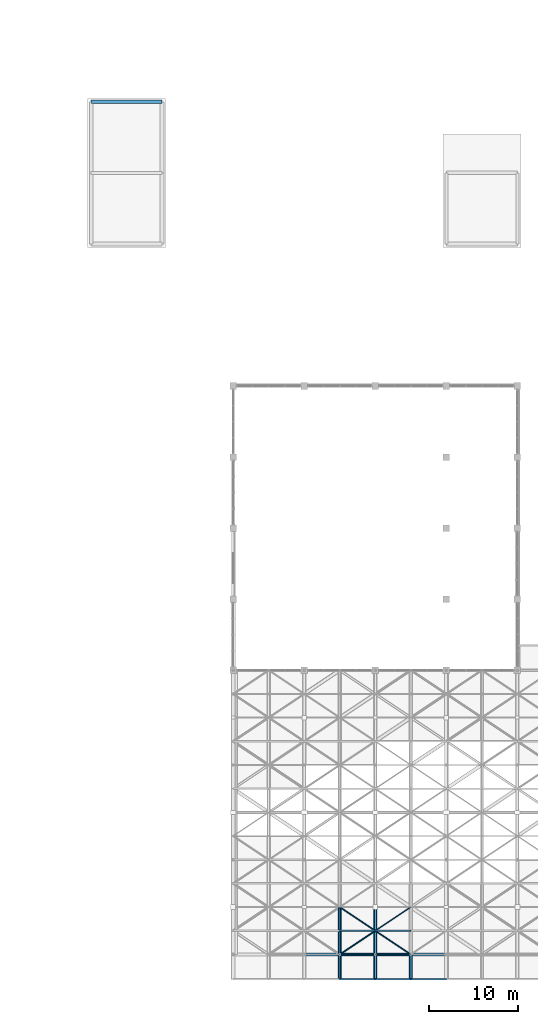
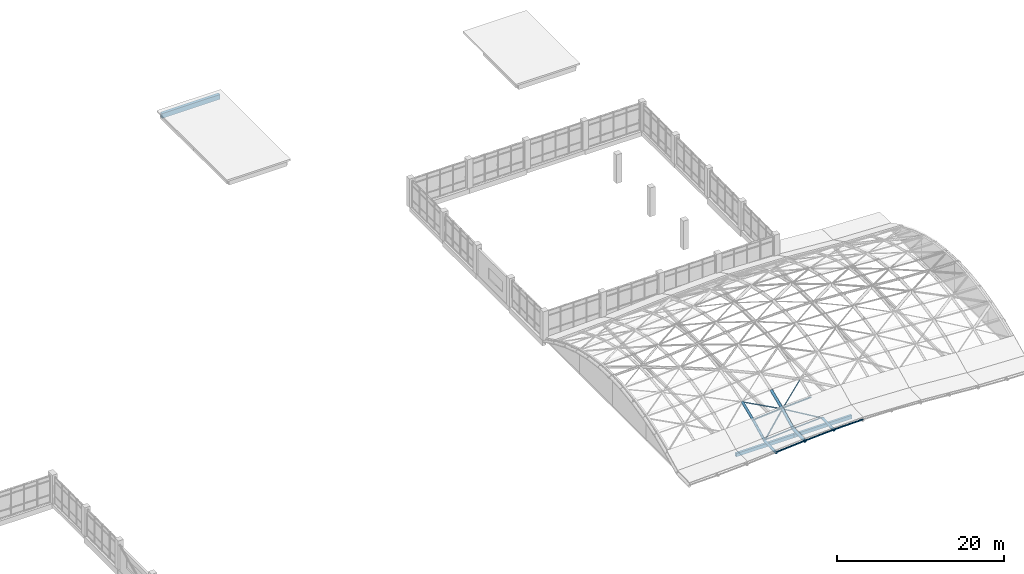
# One storey, part 27 of 72: 11 members, 10 beams.
"""IFC4 building model written with IfcOpenShell, lengths in metres."""

from ifc_helpers import new_model, si_unit, direction, frame, origin, origin_2d, place, context, subcontext, project, spatial, rectangle, hollow_rectangle, hollow_circle, extrude, material, material_profile, profile_set, type_object, element, save


model = new_model("IFC4")

# Units and contexts
model_context = context("Model", 3, precision=1e-05, world=origin(), true_north=direction((0.0, 1.0)))
body_context = subcontext(model_context, "Body", "Model", "MODEL_VIEW")
ifc_project = project(units=[si_unit("LENGTHUNIT", "METRE"), si_unit("AREAUNIT", "SQUARE_METRE"), si_unit("VOLUMEUNIT", "CUBIC_METRE"), si_unit("PLANEANGLEUNIT", "RADIAN"), si_unit("MASSUNIT", "GRAM", prefix="KILO")], contexts=[model_context])

# Site, building, storey
site_placement = place(None, origin())
site = spatial("IfcSite", under=ifc_project, at=site_placement, CompositionType="ELEMENT")
building_placement = place(site_placement, origin())
building = spatial("IfcBuilding", under=site, at=building_placement, Name="Tenunan Teduh Sports Hall", CompositionType="ELEMENT")
storey_placement = place(building_placement, frame((0.0, 0.0, 15.0)))
storey = spatial("IfcBuildingStorey", under=building, at=storey_placement, Name="L03", CompositionType="ELEMENT", Elevation=15.0)

# Beams
ifc_material_1 = material(Name="Concrete C40/50", Category="concrete")
ifc_material_profile_1 = material_profile(ifc_material_1, rectangle(XDim=0.39990234375, YDim=0.699951171875, at=origin_2d()), Name="RCB 400x700")
ifc_profile_set_1 = profile_set([ifc_material_profile_1], Name="Concrete C40/50")
beam_type_1 = type_object("IfcBeamType", Name="BM-RC-400x700", PredefinedType="BEAM", material=ifc_profile_set_1)
beam_1_placement = place(storey_placement, frame((106.0, 110.0, -0.590087890625), z_axis=(1.0, 0.0, 0.0), x_axis=(0.0, 1.0, 0.0)))
element("IfcBeam", 1, at=beam_1_placement, inside=storey, type_object=beam_type_1, Name="BM-B-08-L03-1870", PredefinedType="BEAM", context=body_context, shape_type="SweptSolid", body=[
    extrude(rectangle(XDim=0.39990234375, YDim=0.699951171875, at=origin_2d()), origin(), (0.0, 0.0, 1.0), 8.0),
])
ifc_material_2 = material(Name="Steel S355", Category="steel")
ifc_material_profile_2 = material_profile(ifc_material_2, hollow_circle(Radius=0.177734375, WallThickness=0.012451171875, at=origin_2d()), Name="CHS 355.6x12.5")
ifc_profile_set_2 = profile_set([ifc_material_profile_2], Name="Steel S355")
beam_type_2 = type_object("IfcBeamType", Name="GSB-CHS356", PredefinedType="BEAM", material=ifc_profile_set_2)
beam_2_placement = place(storey_placement, frame((134.0, 11.199951171875, 0.1357421875), z_axis=(0.0, 0.999529350566, 0.030676984166), x_axis=(-1.0, 0.0, 0.0)))
element("IfcBeam", 2, at=beam_2_placement, inside=storey, type_object=beam_type_2, Name="Gridshell Vault Arch BM-GR-04-L03-0108", PredefinedType="BEAM", context=body_context, shape_type="SweptSolid", body=[
    extrude(hollow_circle(Radius=0.177734375, WallThickness=0.012451171875, at=origin_2d()), origin(), (0.0, 0.0, 1.0), 2.80126953125),
])
beam_3_placement = place(storey_placement, frame((134.0, 14.0, 0.2216796875), z_axis=(0.0, 0.893033000477, 0.449991177756), x_axis=(-1.0, 0.0, 0.0)))
element("IfcBeam", 3, at=beam_3_placement, inside=storey, type_object=beam_type_2, Name="Gridshell Vault Arch BM-GR-04-L03-0109", PredefinedType="BEAM", context=body_context, shape_type="SweptSolid", body=[
    extrude(hollow_circle(Radius=0.177734375, WallThickness=0.012451171875, at=origin_2d()), origin(), (0.0, 0.0, 1.0), 2.986083984375),
])
beam_4_placement = place(storey_placement, frame((134.0, 16.666748046875, 1.5654296875), z_axis=(0.0, 0.924239355634, 0.381813584748), x_axis=(-1.0, 0.0, 0.0)))
element("IfcBeam", 4, at=beam_4_placement, inside=storey, type_object=beam_type_2, Name="Gridshell Vault Arch BM-GR-04-L03-0110", PredefinedType="BEAM", context=body_context, shape_type="SweptSolid", body=[
    extrude(hollow_circle(Radius=0.177734375, WallThickness=0.012451171875, at=origin_2d()), origin(), (0.0, 0.0, 1.0), 2.885009765625),
])
beam_5_placement = place(storey_placement, frame((142.0, 11.199951171875, 0.6552734375), z_axis=(0.0, 0.999529350566, 0.030676984166), x_axis=(-1.0, 0.0, 0.0)))
element("IfcBeam", 5, at=beam_5_placement, inside=storey, type_object=beam_type_2, Name="Gridshell Vault Arch BM-GR-04-L03-0134", PredefinedType="BEAM", context=body_context, shape_type="SweptSolid", body=[
    extrude(hollow_circle(Radius=0.177734375, WallThickness=0.012451171875, at=origin_2d()), origin(), (0.0, 0.0, 1.0), 2.80126953125),
])
ifc_material_3 = material(Name="Steel S355", Category="steel")
ifc_material_profile_3 = material_profile(ifc_material_3, hollow_circle(Radius=0.203125, WallThickness=0.01611328125, at=origin_2d()), Name="CHS 406.4x16.0")
ifc_profile_set_3 = profile_set([ifc_material_profile_3], Name="Steel S355")
beam_type_3 = type_object("IfcBeamType", Name="GSB-CHS406", PredefinedType="BEAM", material=ifc_profile_set_3)
beam_6_placement = place(storey_placement, frame((138.0, 11.199951171875, 0.4326171875), z_axis=(0.0, 0.999529350566, 0.030676984166), x_axis=(-1.0, 0.0, 0.0)))
element("IfcBeam", 6, at=beam_6_placement, inside=storey, type_object=beam_type_3, Name="Gridshell Vault Arch BM-GA-02-L03-0121", PredefinedType="BEAM", context=body_context, shape_type="SweptSolid", body=[
    extrude(hollow_circle(Radius=0.203125, WallThickness=0.01611328125, at=origin_2d()), origin(), (0.0, 0.0, 1.0), 2.80126953125),
])
beam_7_placement = place(storey_placement, frame((138.0, 14.0, 0.5185546875), z_axis=(0.0, 0.893033000477, 0.449991177756), x_axis=(-1.0, 0.0, 0.0)))
element("IfcBeam", 7, at=beam_7_placement, inside=storey, type_object=beam_type_3, Name="Gridshell Vault Arch BM-GA-02-L03-0122", PredefinedType="BEAM", context=body_context, shape_type="SweptSolid", body=[
    extrude(hollow_circle(Radius=0.203125, WallThickness=0.01611328125, at=origin_2d()), origin(), (0.0, 0.0, 1.0), 2.986083984375),
])
beam_8_placement = place(storey_placement, frame((138.0, 16.666748046875, 1.8623046875), z_axis=(0.0, 0.924239355634, 0.381813584748), x_axis=(-1.0, 0.0, 0.0)))
element("IfcBeam", 8, at=beam_8_placement, inside=storey, type_object=beam_type_3, Name="Gridshell Vault Arch BM-GA-02-L03-0123", PredefinedType="BEAM", context=body_context, shape_type="SweptSolid", body=[
    extrude(hollow_circle(Radius=0.203125, WallThickness=0.01611328125, at=origin_2d()), origin(), (0.0, 0.0, 1.0), 2.885009765625),
])

# Members
ifc_material_4 = material(Name="Steel S355", Category="steel")
ifc_material_profile_4 = material_profile(ifc_material_4, hollow_circle(Radius=0.06982421875, WallThickness=0.00634765625, at=origin_2d()), Name="CHS 139.7x6.3")
ifc_profile_set_4 = profile_set([ifc_material_profile_4], Name="Steel S355")
member_type_1 = type_object("IfcMemberType", Name="MEM-BR-CHS140", PredefinedType="BRACE", material=ifc_profile_set_4)
member_1_placement = place(storey_placement, frame((138.0, 16.666748046875, 1.8623046875), z_axis=(0.802188170965, 0.534759472856, 0.265568154255), x_axis=(-0.554676756648, 0.832065920246, 0.0)))
element("IfcMember", 9, at=member_1_placement, inside=storey, type_object=member_type_1, Name="MEM-GD-05-L03-0213", PredefinedType="BRACE", context=body_context, shape_type="SweptSolid", body=[
    extrude(hollow_circle(Radius=0.06982421875, WallThickness=0.00634765625, at=origin_2d()), origin(), (0.0, 0.0, 1.0), 4.986328125),
])
ifc_material_5 = material(Name="Steel S355", Category="steel")
ifc_material_profile_5 = material_profile(ifc_material_5, hollow_circle(Radius=0.084228515625, WallThickness=0.008056640625, at=origin_2d()), Name="CHS 168.3x8.0")
ifc_profile_set_5 = profile_set([ifc_material_profile_5], Name="Steel S355")
member_type_2 = type_object("IfcMemberType", Name="MEM-BR-CHS168", PredefinedType="BRACE", material=ifc_profile_set_5)
member_2_placement = place(storey_placement, frame((134.0, 19.333251953125, 2.6669921875), z_axis=(0.820648537247, -0.547065632557, -0.165091404954), x_axis=(0.554676756648, 0.832065920246, 0.0)))
element("IfcMember", 10, at=member_2_placement, inside=storey, type_object=member_type_2, Name="MEM-GD-04-L03-0187", PredefinedType="BRACE", context=body_context, shape_type="SweptSolid", body=[
    extrude(hollow_circle(Radius=0.084228515625, WallThickness=0.008056640625, at=origin_2d()), origin(), (0.0, 0.0, 1.0), 4.874267578125),
])
member_3_placement = place(storey_placement, frame((138.0, 16.666748046875, 1.8623046875), z_axis=(0.810301264232, -0.540217328443, -0.227105920737), x_axis=(0.554711915519, 0.832042481356, 0.0)))
element("IfcMember", 11, at=member_3_placement, inside=storey, type_object=member_type_2, Name="MEM-GD-04-L03-0212", PredefinedType="BRACE", context=body_context, shape_type="SweptSolid", body=[
    extrude(hollow_circle(Radius=0.084228515625, WallThickness=0.008056640625, at=origin_2d()), origin(), (0.0, 0.0, 1.0), 4.9365234375),
])
ifc_material_6 = material(Name="Steel S355", Category="steel")
ifc_material_profile_6 = material_profile(ifc_material_6, hollow_circle(Radius=0.096923828125, WallThickness=0.008056640625, at=origin_2d()), Name="CHS 193.7x8.0")
ifc_profile_set_6 = profile_set([ifc_material_profile_6], Name="Steel S355")
member_type_3 = type_object("IfcMemberType", Name="MEM-BR-CHS194", PredefinedType="BRACE", material=ifc_profile_set_6)
member_4_placement = place(storey_placement, frame((134.0, 14.0, 0.2216796875), z_axis=(0.787450466452, 0.524982998356, 0.322977730381), x_axis=(-0.554711915519, 0.832042481356, 0.0)))
element("IfcMember", 12, at=member_4_placement, inside=storey, type_object=member_type_3, Name="MEM-GD-03-L03-0186", PredefinedType="BRACE", context=body_context, shape_type="SweptSolid", body=[
    extrude(hollow_circle(Radius=0.096923828125, WallThickness=0.008056640625, at=origin_2d()), origin(), (0.0, 0.0, 1.0), 5.07958984375),
])
ifc_material_7 = material(Name="Steel S355", Category="steel")
ifc_material_profile_7 = material_profile(ifc_material_7, hollow_rectangle(XDim=0.1201171875, YDim=0.1201171875, WallThickness=0.00634765625, at=origin_2d()), Name="SHS 120x120x6.3")
ifc_profile_set_7 = profile_set([ifc_material_profile_7], Name="Steel S355")
member_type_4 = type_object("IfcMemberType", Name="MEM-PR-SHS120", PredefinedType="PURLIN", material=ifc_profile_set_7)
member_5_placement = place(storey_placement, frame((134.0, 14.0, 0.341552734375), z_axis=(0.997257115114, 0.0, 0.074015176512), x_axis=(0.0, 1.0, 0.0)))
element("IfcMember", 13, at=member_5_placement, inside=storey, type_object=member_type_4, Name="MEM-PR-02-L03-0173", PredefinedType="PURLIN", context=body_context, shape_type="SweptSolid", body=[
    extrude(hollow_rectangle(XDim=0.1201171875, YDim=0.1201171875, WallThickness=0.00634765625, at=origin_2d()), origin(), (0.0, 0.0, 1.0), 4.010986328125),
])
member_6_placement = place(storey_placement, frame((138.0, 14.0, 0.638427734375), z_axis=(0.998454347037, 0.0, 0.055578025177), x_axis=(0.0, 1.0, 0.0)))
element("IfcMember", 14, at=member_6_placement, inside=storey, type_object=member_type_4, Name="MEM-PR-02-L03-0199", PredefinedType="PURLIN", context=body_context, shape_type="SweptSolid", body=[
    extrude(hollow_rectangle(XDim=0.1201171875, YDim=0.1201171875, WallThickness=0.00634765625, at=origin_2d()), origin(), (0.0, 0.0, 1.0), 4.006103515625),
])
ifc_material_8 = material(Name="Steel S355", Category="steel")
ifc_material_profile_8 = material_profile(ifc_material_8, hollow_rectangle(XDim=0.14990234375, YDim=0.14990234375, WallThickness=0.008056640625, at=origin_2d()), Name="SHS 150x150x8.0")
ifc_profile_set_8 = profile_set([ifc_material_profile_8], Name="Steel S355")
member_type_5 = type_object("IfcMemberType", Name="MEM-PR-SHS150", PredefinedType="PURLIN", material=ifc_profile_set_8)
for number, where, z_axis, x_axis, name in (
    (15, (134.0, 11.199951171875, 0.255615234375), (0.997257115114, 0.0, 0.074015176512), (0.0, 1.0, 0.0), "MEM-PR-01-L03-0172"),
    (16, (134.0, 16.666748046875, 1.685302734375), (0.997257115114, 0.0, 0.074015176512), (0.0, 1.0, 0.0), "MEM-PR-01-L03-0174"),
):
    element("IfcMember", number, at=place(storey_placement, frame(where, z_axis=z_axis, x_axis=x_axis)), inside=storey, type_object=member_type_5, Name=name, PredefinedType="PURLIN", context=body_context, shape_type="SweptSolid", body=[
        extrude(hollow_rectangle(XDim=0.14990234375, YDim=0.14990234375, WallThickness=0.008056640625, at=origin_2d()), origin(), (0.0, 0.0, 1.0), 4.010986328125),
    ])
for number, where, z_axis, x_axis, name in (
    (17, (138.0, 11.199951171875, 0.552490234375), (0.998454347037, 0.0, 0.055578025177), (0.0, 1.0, 0.0), "MEM-PR-01-L03-0198"),
    (18, (138.0, 16.666748046875, 1.982177734375), (0.998454347037, 0.0, 0.055578025177), (0.0, 1.0, 0.0), "MEM-PR-01-L03-0200"),
):
    element("IfcMember", number, at=place(storey_placement, frame(where, z_axis=z_axis, x_axis=x_axis)), inside=storey, type_object=member_type_5, Name=name, PredefinedType="PURLIN", context=body_context, shape_type="SweptSolid", body=[
        extrude(hollow_rectangle(XDim=0.14990234375, YDim=0.14990234375, WallThickness=0.008056640625, at=origin_2d()), origin(), (0.0, 0.0, 1.0), 4.006103515625),
    ])
member_7_placement = place(storey_placement, frame((142.0, 11.199951171875, 0.775146484375), z_axis=(0.999809319689, 0.0, 0.019527525775), x_axis=(0.0, 1.0, 0.0)))
element("IfcMember", 19, at=member_7_placement, inside=storey, type_object=member_type_5, Name="MEM-PR-01-L03-0224", PredefinedType="PURLIN", context=body_context, shape_type="SweptSolid", body=[
    extrude(hollow_rectangle(XDim=0.14990234375, YDim=0.14990234375, WallThickness=0.008056640625, at=origin_2d()), origin(), (0.0, 0.0, 1.0), 4.000732421875),
])

# Beams
ifc_material_9 = material(Name="Steel S355", Category="steel")
ifc_material_profile_9 = material_profile(ifc_material_9, hollow_rectangle(XDim=0.300048828125, YDim=0.5, WallThickness=0.01611328125, at=origin_2d()), Name="RHS 500x300x16.0")
ifc_profile_set_9 = profile_set([ifc_material_profile_9], Name="Steel S355")
beam_type_4 = type_object("IfcBeamType", Name="RBM-RHS500", PredefinedType="SPANDREL", material=ifc_profile_set_9)
for number, where, z_axis, x_axis, name in (
    (20, (130.0, 14.0, -0.409912109375), (1.0, 0.0, 0.0), (0.0, 1.0, 0.0), "Perimeter Ring Beam BM-RB-01-L03-0046"),
    (21, (138.0, 14.0, -0.409912109375), (1.0, 0.0, 0.0), (0.0, 1.0, 0.0), "Perimeter Ring Beam BM-RB-01-L03-0048"),
):
    element("IfcBeam", number, at=place(storey_placement, frame(where, z_axis=z_axis, x_axis=x_axis)), inside=storey, type_object=beam_type_4, Name=name, PredefinedType="SPANDREL", context=body_context, shape_type="SweptSolid", body=[
        extrude(hollow_rectangle(XDim=0.300048828125, YDim=0.5, WallThickness=0.01611328125, at=origin_2d()), origin(), (0.0, 0.0, 1.0), 8.0),
    ])

save(model, "model.ifc")
